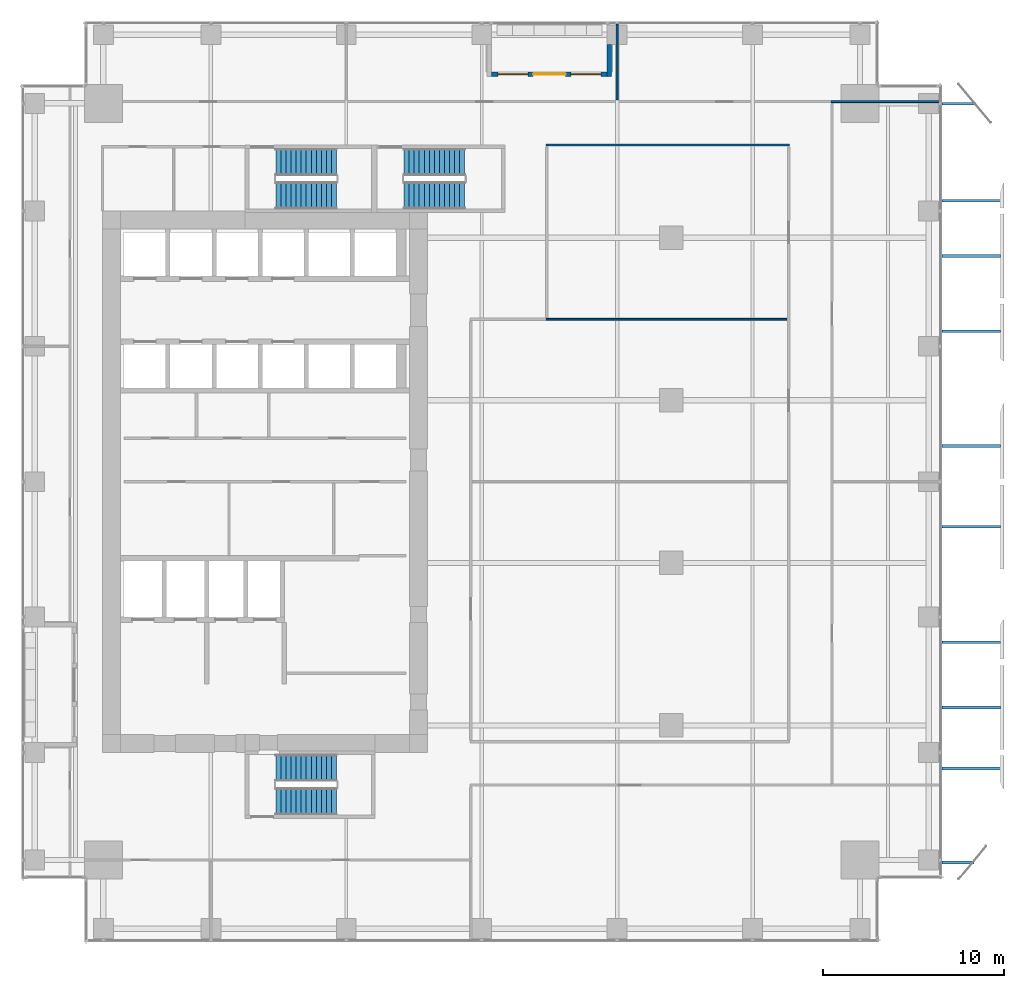
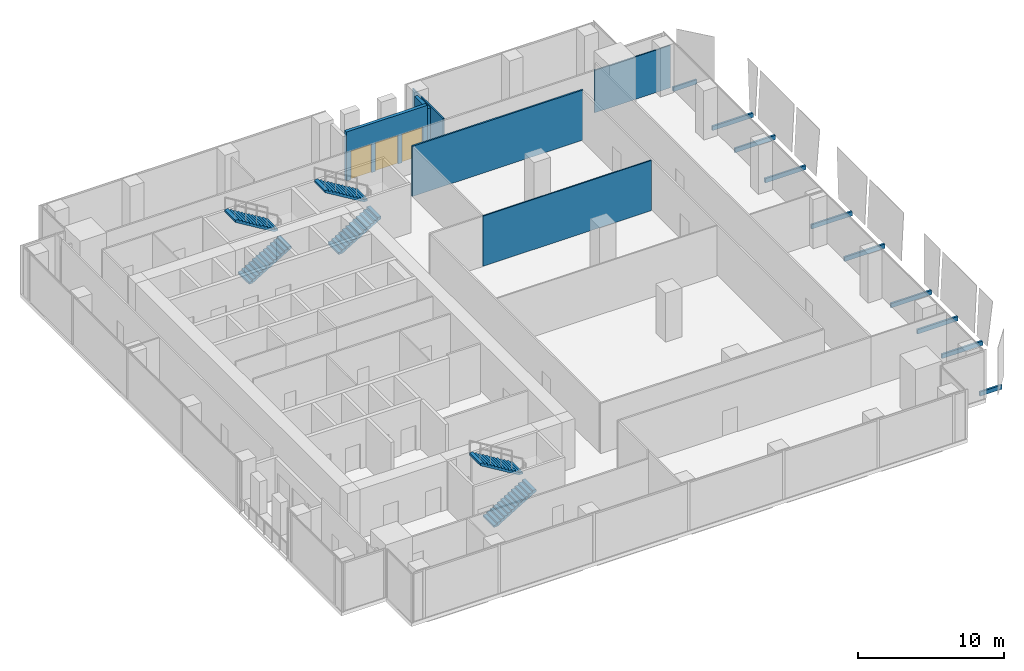
# One storey, part 30 of 33: 10 discrete accessories, 6 stair flights, 6 walls, 2 windows, 1 door, 3 openings, 3 elements without a shape of their own.
"""IFC4 building model written with IfcOpenShell, lengths in metres."""

from ifc_helpers import new_model, si_unit, direction, frame, frame_2d, origin, origin_2d, place, context, subcontext, project, spatial, polyline, rectangle, outline, extrude, source, transform, mapped, material, layer, layer_set, type_object, element, fill, aggregate, save


model = new_model("IFC4")

# Units and contexts
model_context = context("Model", 3, precision=1e-05, world=origin(), true_north=direction((0.0, 1.0)))
body_context = subcontext(model_context, "Body", "Model", "MODEL_VIEW")
ifc_project = project(units=[si_unit("LENGTHUNIT", "METRE"), si_unit("AREAUNIT", "SQUARE_METRE"), si_unit("VOLUMEUNIT", "CUBIC_METRE"), si_unit("PLANEANGLEUNIT", "RADIAN"), si_unit("MASSUNIT", "GRAM", prefix="KILO")], contexts=[model_context])

# Site, building, storey
site_placement = place(None, origin())
site = spatial("IfcSite", under=ifc_project, at=site_placement, CompositionType="ELEMENT")
building_placement = place(site_placement, origin())
building = spatial("IfcBuilding", under=site, at=building_placement, Name="Khomas Fold Tower", CompositionType="ELEMENT")
storey_placement = place(building_placement, frame((0.0, 0.0, 149.89990234375)))
storey = spatial("IfcBuildingStorey", under=building, at=storey_placement, Name="L32", CompositionType="ELEMENT", Elevation=149.89990234375)

# Wall, openings, door, windows
ifc_material_1 = material(Name="Natural stone", Category="masonry")
ifc_layer_1 = layer(ifc_material_1, 0.0400390625)
ifc_material_2 = material(Name="Mineral wool insulation", Category="insulation")
ifc_layer_2 = layer(ifc_material_2, 0.10009765625)
ifc_material_3 = material(Name="Masonry", Category="masonry")
ifc_layer_3 = layer(ifc_material_3, 0.110107421875)
ifc_layer_set_1 = layer_set([ifc_layer_1, ifc_layer_2, ifc_layer_3], Name="Stone-faced insulated masonry")
wall_type_1 = type_object("IfcWallType", Name="BL-Balcony wall", PredefinedType="SOLIDWALL", material=ifc_layer_set_1)
shared_shape_1 = source(origin(), body_context, "Body", "SweptSolid", [
    extrude(rectangle(XDim=6.39990234375, YDim=0.25, at=frame_2d((3.199951171875, 0.0))), origin(), (0.0, 0.0, 1.0), 4.10009765625),
])
wall_1_placement = place(storey_placement, frame((27.550048828125, 49.574951171875, 0.0), z_axis=(0.0, 0.0, 1.0), x_axis=(1.0, 0.0, 0.0)))
wall_1 = element("IfcWall", 1, at=wall_1_placement, inside=storey, type_object=wall_type_1, Name="Balcony wall BAL-L32-N3", PredefinedType="SOLIDWALL", context=body_context, shape_type="MappedRepresentation", body=[
    mapped(shared_shape_1, transform((0.0, 0.0, 0.0))),
])
shared_shape_2 = source(origin(), body_context, "Body", "SweptSolid", [
    extrude(rectangle(XDim=1.64990234375, YDim=2.39990234375, at=frame_2d((0.824951171875, 1.199951171875))), frame((0.0, 0.135009765625, 0.0), z_axis=(0.0, -1.0, 0.0), x_axis=(1.0, 0.0, 0.0)), (0.0, 0.0, 1.0), 0.27001953125),
])
opening_1_placement = place(wall_1_placement, frame((0.35009765625, 0.0, 0.0)))
opening_1 = element("IfcOpeningElement", 2, at=opening_1_placement, cuts=wall_1, Name="Opening BL-W2", PredefinedType="OPENING", context=body_context, shape_type="MappedRepresentation", body=[
    mapped(shared_shape_2, transform((0.0, 0.0, 0.0))),
])
opening_2_placement = place(wall_1_placement, frame((4.39990234375, 0.0, 0.0)))
opening_2 = element("IfcOpeningElement", 3, at=opening_2_placement, cuts=wall_1, Name="Opening BL-W2", PredefinedType="OPENING", context=body_context, shape_type="MappedRepresentation", body=[
    mapped(shared_shape_2, transform((0.0, 0.0, 0.0))),
])
shared_shape_3 = source(origin(), body_context, "Body", "SweptSolid", [
    extrude(rectangle(XDim=1.800048828125, YDim=2.39990234375, at=frame_2d((0.89990234375, 1.199951171875))), frame((0.0, 0.135009765625, 0.0), z_axis=(0.0, -1.0, 0.0), x_axis=(1.0, 0.0, 0.0)), (0.0, 0.0, 1.0), 0.27001953125),
])
opening_3_placement = place(wall_1_placement, frame((2.300048828125, 0.0, 0.0)))
opening_3 = element("IfcOpeningElement", 4, at=opening_3_placement, cuts=wall_1, Name="Opening BD322", PredefinedType="OPENING", context=body_context, shape_type="MappedRepresentation", body=[
    mapped(shared_shape_3, transform((0.0, 0.0, 0.0))),
])
ifc_material_4 = material(Name="Aluminium framed double glazing", Category="aluminium")
door_type = type_object("IfcDoorType", Name="BL-Glazed balcony door 1800 x 2400", OperationType="DOUBLE_DOOR_DOUBLE_SWING", PredefinedType="DOOR", material=ifc_material_4)
shared_shape_4 = source(origin(), body_context, "Body", "SweptSolid", [
    extrude(rectangle(XDim=1.800048828125, YDim=2.39990234375, at=frame_2d((0.89990234375, 1.199951171875))), frame((0.0, 0.02490234375, 0.0), z_axis=(0.0, -1.0, 0.0), x_axis=(1.0, 0.0, 0.0)), (0.0, 0.0, 1.0), 0.050048828125),
])
door_placement = place(opening_3_placement, origin())
door = element("IfcDoor", 5, at=door_placement, inside=storey, type_object=door_type, Name="Balcony door BD322", OperationType="DOUBLE_DOOR_DOUBLE_SWING", OverallHeight=2.39990234375, OverallWidth=1.800048828125, PredefinedType="DOOR", context=body_context, shape_type="MappedRepresentation", body=[
    mapped(shared_shape_4, transform((0.0, 0.0, 0.0))),
])
fill(opening_3, door)
ifc_material_5 = material(Name="Aluminium framed double glazing", Category="aluminium")
window_type = type_object("IfcWindowType", Name="BL-Fixed glazing 1650 x 2400", PartitioningType="SINGLE_PANEL", PredefinedType="WINDOW", material=ifc_material_5)
shared_shape_5 = source(origin(), body_context, "Body", "SweptSolid", [
    extrude(rectangle(XDim=1.64990234375, YDim=2.39990234375, at=frame_2d((0.824951171875, 1.199951171875))), frame((0.0, 0.030029296875, 0.0), z_axis=(0.0, -1.0, 0.0), x_axis=(1.0, 0.0, 0.0)), (0.0, 0.0, 1.0), 0.06005859375),
])
window_1_placement = place(opening_1_placement, origin())
window_1 = element("IfcWindow", 6, at=window_1_placement, inside=storey, type_object=window_type, Name="Balcony glazing BAL-L32-N3-1", OverallHeight=2.39990234375, OverallWidth=1.64990234375, PartitioningType="SINGLE_PANEL", PredefinedType="WINDOW", context=body_context, shape_type="MappedRepresentation", body=[
    mapped(shared_shape_5, transform((0.0, 0.0, 0.0))),
])
fill(opening_1, window_1)
window_2_placement = place(opening_2_placement, origin())
window_2 = element("IfcWindow", 7, at=window_2_placement, inside=storey, type_object=window_type, Name="Balcony glazing BAL-L32-N3-2", OverallHeight=2.39990234375, OverallWidth=1.64990234375, PartitioningType="SINGLE_PANEL", PredefinedType="WINDOW", context=body_context, shape_type="MappedRepresentation", body=[
    mapped(shared_shape_5, transform((0.0, 0.0, 0.0))),
])
fill(opening_2, window_2)

# Walls
shared_shape_6 = source(origin(), body_context, "Body", "SweptSolid", [
    extrude(rectangle(XDim=1.75, YDim=0.25, at=frame_2d((0.875, 0.0))), origin(), (0.0, 0.0, 1.0), 3.800048828125),
])
wall_2_placement = place(storey_placement, frame((34.074951171875, 51.199951171875, 0.0), z_axis=(0.0, 0.0, 1.0), x_axis=(0.0, -1.0, 0.0)))
element("IfcWall", 8, at=wall_2_placement, inside=storey, type_object=wall_type_1, Name="Balcony return wall BAL-L32-N3-hi", PredefinedType="SOLIDWALL", context=body_context, shape_type="MappedRepresentation", body=[
    mapped(shared_shape_6, transform((0.0, 0.0, 0.0))),
])
ifc_material_6 = material(Name="Plasterboard partition")
ifc_layer_4 = layer(ifc_material_6, 0.10009765625)
ifc_layer_set_2 = layer_set([ifc_layer_4], Name="Plasterboard partition")
wall_type_2 = type_object("IfcWallType", Name="Partition PW1 100", PredefinedType="PARTITIONING", material=ifc_layer_set_2)
shared_shape_7 = source(origin(), body_context, "Body", "SweptSolid", [
    extrude(rectangle(XDim=6.0, YDim=0.10009765625, at=frame_2d((3.0, 0.0))), origin(), (0.0, 0.0, 1.0), 3.550048828125),
])
wall_3_placement = place(storey_placement, frame((46.35009765625, 48.050048828125, 0.0), z_axis=(0.0, 0.0, 1.0), x_axis=(1.0, 0.0, 0.0)))
element("IfcWall", 9, at=wall_3_placement, inside=storey, type_object=wall_type_2, Name="Partition", PredefinedType="PARTITIONING", context=body_context, shape_type="MappedRepresentation", body=[
    mapped(shared_shape_7, transform((0.0, 0.0, 0.0))),
])
shared_shape_8 = source(origin(), body_context, "Body", "SweptSolid", [
    extrude(rectangle(XDim=13.349853515625, YDim=0.10009765625, at=frame_2d((6.6748046875, 0.0))), origin(), (0.0, 0.0, 1.0), 4.2001953125),
])
wall_4_placement = place(storey_placement, frame((30.550048828125, 36.0, 0.0), z_axis=(0.0, 0.0, 1.0), x_axis=(1.0, 0.0, 0.0)))
element("IfcWall", 10, at=wall_4_placement, inside=storey, type_object=wall_type_2, Name="Partition", PredefinedType="PARTITIONING", context=body_context, shape_type="MappedRepresentation", body=[
    mapped(shared_shape_8, transform((0.0, 0.0, 0.0))),
])
ifc_material_7 = material(Name="Plasterboard partition")
ifc_layer_5 = layer(ifc_material_7, 0.125)
ifc_layer_set_3 = layer_set([ifc_layer_5], Name="Plasterboard partition")
wall_type_3 = type_object("IfcWallType", Name="Partition PW2 125", PredefinedType="PARTITIONING", material=ifc_layer_set_3)
shared_shape_9 = source(origin(), body_context, "Body", "SweptSolid", [
    extrude(rectangle(XDim=13.5, YDim=0.125, at=frame_2d((6.75, 0.0))), origin(), (0.0, 0.0, 1.0), 4.2001953125),
])
wall_5_placement = place(storey_placement, frame((30.550048828125, 45.64990234375, 0.0), z_axis=(0.0, 0.0, 1.0), x_axis=(1.0, 0.0, 0.0)))
element("IfcWall", 11, at=wall_5_placement, inside=storey, type_object=wall_type_3, Name="Partition", PredefinedType="PARTITIONING", context=body_context, shape_type="MappedRepresentation", body=[
    mapped(shared_shape_9, transform((0.0, 0.0, 0.0))),
])
shared_shape_10 = source(origin(), body_context, "Body", "SweptSolid", [
    extrude(rectangle(XDim=4.2001953125, YDim=0.10009765625, at=frame_2d((2.10009765625, 0.0))), origin(), (0.0, 0.0, 1.0), 3.60009765625),
])
wall_6_placement = place(storey_placement, frame((34.5, 48.14990234375, 0.0), z_axis=(0.0, 0.0, 1.0), x_axis=(0.0, 1.0, 0.0)))
element("IfcWall", 12, at=wall_6_placement, inside=storey, type_object=wall_type_2, Name="Partition", PredefinedType="PARTITIONING", context=body_context, shape_type="MappedRepresentation", body=[
    mapped(shared_shape_10, transform((0.0, 0.0, 0.0))),
])

# Stair, stair flights
ifc_material_8 = material(Name="Concrete C40/50", Category="concrete")
stair_type_1 = type_object("IfcStairType", Name="Stair ST1", PredefinedType="HALF_TURN_STAIR", material=ifc_material_8)
stair_1_placement = place(storey_placement, origin())
stair_1 = element("IfcStair", 13, at=stair_1_placement, inside=storey, type_object=stair_type_1, Name="L32 ST1", PredefinedType="HALF_TURN_STAIR")
ifc_material_9 = material(Name="Concrete C40/50", Category="concrete")
stair_flight_type_1 = type_object("IfcStairFlightType", Name="Stair flight 1500 ST1", PredefinedType="STRAIGHT", material=ifc_material_9)
shared_shape_11 = source(origin(), body_context, "Body", "SweptSolid", [
    extrude(outline(polyline([(0.0, 0.0), (0.0, 0.012939453125), (0.0, 0.026123046875), (0.0, 0.0390625), (0.0, 0.052001953125), (0.0, 0.065185546875), (0.0, 0.078125), (0.0, 0.091064453125), (0.0, 0.104248046875), (0.0, 0.1171875), (0.0, 0.130126953125), (0.0, 0.143310546875), (0.0, 0.15625), (0.0, 0.169189453125), (0.280029296875, 0.169189453125), (0.280029296875, 0.33837890625), (0.56005859375, 0.33837890625), (0.56005859375, 0.5078125), (0.840087890625, 0.5078125), (0.840087890625, 0.677001953125), (1.1201171875, 0.677001953125), (1.1201171875, 0.84619140625), (1.39990234375, 0.84619140625), (1.39990234375, 1.015380859375), (1.679931640625, 1.015380859375), (1.679931640625, 1.1845703125), (1.9599609375, 1.1845703125), (1.9599609375, 1.353759765625), (2.239990234375, 1.353759765625), (2.239990234375, 1.523193359375), (2.52001953125, 1.523193359375), (2.52001953125, 1.6923828125), (2.800048828125, 1.6923828125), (2.800048828125, 1.861572265625), (3.080078125, 1.861572265625), (3.080078125, 2.03076171875), (3.360107421875, 2.03076171875), (3.360107421875, 2.199951171875), (3.360107421875, 2.173583984375), (3.360107421875, 2.14697265625), (3.360107421875, 2.12060546875), (3.360107421875, 2.093994140625), (3.360107421875, 2.067626953125), (3.360107421875, 2.041015625), (3.360107421875, 2.0146484375), (3.360107421875, 1.988037109375), (3.360107421875, 1.961669921875), (3.360107421875, 1.93505859375), (3.360107421875, 1.90869140625), (3.360107421875, 1.882080078125), (3.360107421875, 1.855712890625), (0.289794921875, 0.0), (0.0, 0.0)])), frame((0.0, 0.75, 0.0), z_axis=(0.0, -1.0, 0.0), x_axis=(1.0, 0.0, 0.0)), (0.0, 0.0, 1.0), 1.5),
])
stair_flight_1_placement = place(storey_placement, frame((15.60009765625, 42.85009765625, 0.0), z_axis=(0.0, 0.0, 1.0), x_axis=(1.0, 0.0, 0.0)))
stair_flight_1 = element("IfcStairFlight", 14, at=stair_flight_1_placement, type_object=stair_flight_type_1, Name="ST1 flight 1", NumberOfRisers=13, NumberOfTreads=12, PredefinedType="STRAIGHT", RiserHeight=0.169230769, TreadLength=0.28, context=body_context, shape_type="MappedRepresentation", body=[
    mapped(shared_shape_11, transform((0.0, 0.0, 0.0))),
])
stair_flight_2_placement = place(storey_placement, frame((18.9599609375, 44.699951171875, 2.2001953125), z_axis=(0.0, 0.0, 1.0), x_axis=(-1.0, 0.0, 0.0)))
stair_flight_2 = element("IfcStairFlight", 15, at=stair_flight_2_placement, type_object=stair_flight_type_1, Name="ST1 flight 2", NumberOfRisers=13, NumberOfTreads=12, PredefinedType="STRAIGHT", RiserHeight=0.169230769, TreadLength=0.28, context=body_context, shape_type="MappedRepresentation", body=[
    mapped(shared_shape_11, transform((0.0, 0.0, 0.0))),
])
aggregate(stair_1, [stair_flight_1, stair_flight_2])

ifc_material_10 = material(Name="Concrete C40/50", Category="concrete")
stair_type_2 = type_object("IfcStairType", Name="Stair ST2", PredefinedType="HALF_TURN_STAIR", material=ifc_material_10)
stair_2_placement = place(storey_placement, origin())
stair_2 = element("IfcStair", 16, at=stair_2_placement, inside=storey, type_object=stair_type_2, Name="L32 ST2", PredefinedType="HALF_TURN_STAIR")
ifc_material_11 = material(Name="Concrete C40/50", Category="concrete")
stair_flight_type_2 = type_object("IfcStairFlightType", Name="Stair flight 1500 ST2", PredefinedType="STRAIGHT", material=ifc_material_11)
stair_flight_3_placement = place(storey_placement, frame((15.60009765625, 9.300048828125, 0.0), z_axis=(0.0, 0.0, 1.0), x_axis=(1.0, 0.0, 0.0)))
stair_flight_3 = element("IfcStairFlight", 17, at=stair_flight_3_placement, type_object=stair_flight_type_2, Name="ST2 flight 1", NumberOfRisers=13, NumberOfTreads=12, PredefinedType="STRAIGHT", RiserHeight=0.169230769, TreadLength=0.28, context=body_context, shape_type="MappedRepresentation", body=[
    mapped(shared_shape_11, transform((0.0, 0.0, 0.0))),
])
stair_flight_4_placement = place(storey_placement, frame((18.9599609375, 11.14990234375, 2.2001953125), z_axis=(0.0, 0.0, 1.0), x_axis=(-1.0, 0.0, 0.0)))
stair_flight_4 = element("IfcStairFlight", 18, at=stair_flight_4_placement, type_object=stair_flight_type_2, Name="ST2 flight 2", NumberOfRisers=13, NumberOfTreads=12, PredefinedType="STRAIGHT", RiserHeight=0.169230769, TreadLength=0.28, context=body_context, shape_type="MappedRepresentation", body=[
    mapped(shared_shape_11, transform((0.0, 0.0, 0.0))),
])
aggregate(stair_2, [stair_flight_3, stair_flight_4])

ifc_material_12 = material(Name="Concrete C40/50", Category="concrete")
stair_type_3 = type_object("IfcStairType", Name="Stair ST3", PredefinedType="HALF_TURN_STAIR", material=ifc_material_12)
stair_3_placement = place(storey_placement, origin())
stair_3 = element("IfcStair", 19, at=stair_3_placement, inside=storey, type_object=stair_type_3, Name="L32 ST3", PredefinedType="HALF_TURN_STAIR")
ifc_material_13 = material(Name="Concrete C40/50", Category="concrete")
stair_flight_type_3 = type_object("IfcStairFlightType", Name="Stair flight 1500 ST3", PredefinedType="STRAIGHT", material=ifc_material_13)
stair_flight_5_placement = place(storey_placement, frame((22.699951171875, 42.85009765625, 0.0), z_axis=(0.0, 0.0, 1.0), x_axis=(1.0, 0.0, 0.0)))
stair_flight_5 = element("IfcStairFlight", 20, at=stair_flight_5_placement, type_object=stair_flight_type_3, Name="ST3 flight 1", NumberOfRisers=13, NumberOfTreads=12, PredefinedType="STRAIGHT", RiserHeight=0.169230769, TreadLength=0.28, context=body_context, shape_type="MappedRepresentation", body=[
    mapped(shared_shape_11, transform((0.0, 0.0, 0.0))),
])
stair_flight_6_placement = place(storey_placement, frame((26.06005859375, 44.699951171875, 2.2001953125), z_axis=(0.0, 0.0, 1.0), x_axis=(-1.0, 0.0, 0.0)))
stair_flight_6 = element("IfcStairFlight", 21, at=stair_flight_6_placement, type_object=stair_flight_type_3, Name="ST3 flight 2", NumberOfRisers=13, NumberOfTreads=12, PredefinedType="STRAIGHT", RiserHeight=0.169230769, TreadLength=0.28, context=body_context, shape_type="MappedRepresentation", body=[
    mapped(shared_shape_11, transform((0.0, 0.0, 0.0))),
])
aggregate(stair_3, [stair_flight_5, stair_flight_6])

# Discrete accessories
ifc_material_14 = material(Name="Stainless steel", Category="steel")
discrete_accessory_type = type_object("IfcDiscreteAccessoryType", Name="SK-Stainless steel stone bracket", PredefinedType="BRACKET", material=ifc_material_14)
shared_shape_12 = source(origin(), body_context, "Body", "SweptSolid", [
    extrude(rectangle(XDim=1.75, YDim=0.14990234375, at=origin_2d()), origin(), (0.0, 0.0, 1.0), 0.360107421875),
])
discrete_accessory_1_placement = place(storey_placement, frame((53.375, 5.9150390625, -0.2998046875), z_axis=(0.0, 0.0, 1.0), x_axis=(1.0, 0.0, 0.0)))
element("IfcDiscreteAccessory", 22, at=discrete_accessory_1_placement, inside=storey, type_object=discrete_accessory_type, Name="Stone bracket L32 EG098-1-1", PredefinedType="BRACKET", context=body_context, shape_type="MappedRepresentation", body=[
    mapped(shared_shape_12, transform((0.0, 0.0, 0.0))),
])
shared_shape_13 = source(origin(), body_context, "Body", "SweptSolid", [
    extrude(rectangle(XDim=3.223876953125, YDim=0.14990234375, at=origin_2d()), origin(), (0.0, 0.0, 1.0), 0.360107421875),
])
for number, where, z_axis, x_axis, name in (
    (23, (54.112060546875, 11.111572265625, -0.2998046875), (0.0, 0.0, 1.0), (1.0, 0.0, 0.0), "Stone bracket L32 EG099-2-1"),
    (24, (54.112060546875, 14.5, -0.2998046875), (0.0, 0.0, 1.0), (1.0, 0.0, 0.0), "Stone bracket L32 EG100-3-1"),
    (25, (54.112060546875, 18.108154296875, -0.2998046875), (0.0, 0.0, 1.0), (1.0, 0.0, 0.0), "Stone bracket L32 EG101-4-1"),
    (26, (54.112060546875, 24.5, -0.2998046875), (0.0, 0.0, 1.0), (1.0, 0.0, 0.0), "Stone bracket L32 EG102-5-1"),
    (27, (54.112060546875, 28.982421875, -0.2998046875), (0.0, 0.0, 1.0), (1.0, 0.0, 0.0), "Stone bracket L32 EG103-6-1"),
    (28, (54.112060546875, 35.336669921875, -0.2998046875), (0.0, 0.0, 1.0), (1.0, 0.0, 0.0), "Stone bracket L32 EG104-7-1"),
    (29, (54.112060546875, 39.5, -0.2998046875), (0.0, 0.0, 1.0), (1.0, 0.0, 0.0), "Stone bracket L32 EG105-8-1"),
    (30, (54.112060546875, 42.5595703125, -0.2998046875), (0.0, 0.0, 1.0), (1.0, 0.0, 0.0), "Stone bracket L32 EG106-9-1"),
):
    element("IfcDiscreteAccessory", number, at=place(storey_placement, frame(where, z_axis=z_axis, x_axis=x_axis)), inside=storey, type_object=discrete_accessory_type, Name=name, PredefinedType="BRACKET", context=body_context, shape_type="MappedRepresentation", body=[
        mapped(shared_shape_13, transform((0.0, 0.0, 0.0))),
    ])
shared_shape_14 = source(origin(), body_context, "Body", "SweptSolid", [
    extrude(rectangle(XDim=1.875, YDim=0.14990234375, at=origin_2d()), origin(), (0.0, 0.0, 1.0), 0.360107421875),
])
discrete_accessory_2_placement = place(storey_placement, frame((53.4375, 47.93505859375, -0.2998046875), z_axis=(0.0, 0.0, 1.0), x_axis=(1.0, 0.0, 0.0)))
element("IfcDiscreteAccessory", 31, at=discrete_accessory_2_placement, inside=storey, type_object=discrete_accessory_type, Name="Stone bracket L32 EG107-10-1", PredefinedType="BRACKET", context=body_context, shape_type="MappedRepresentation", body=[
    mapped(shared_shape_14, transform((0.0, 0.0, 0.0))),
])

save(model, "model.ifc")
